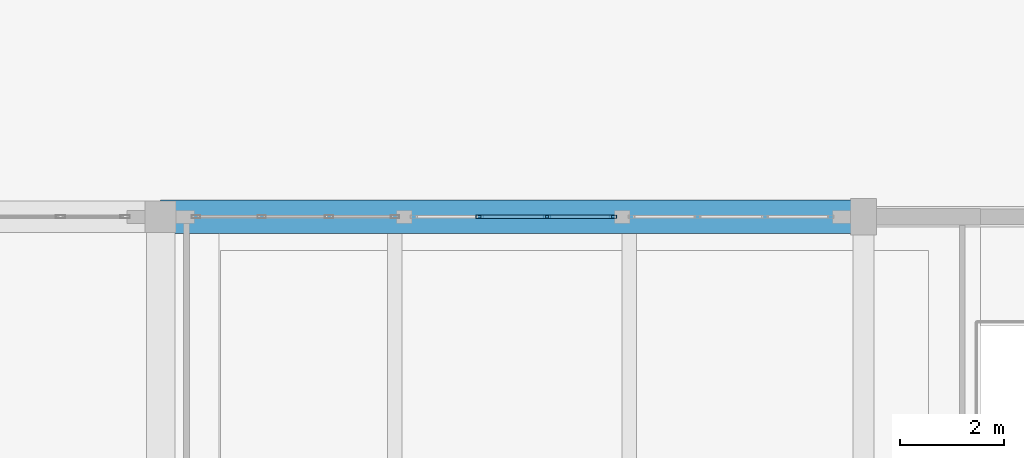
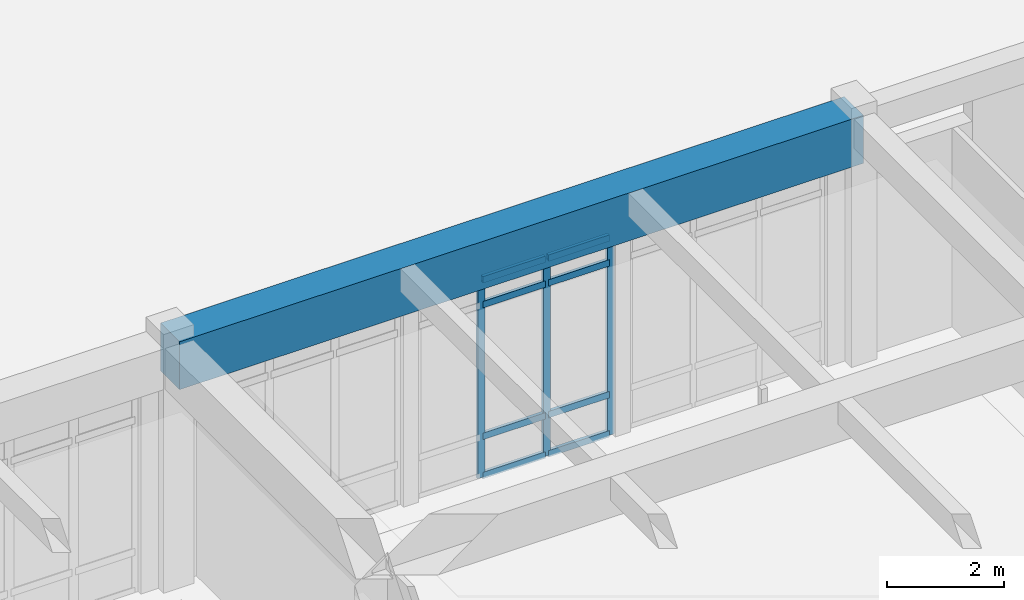
# One storey, part 26 of 138: 11 members, 1 beam, 1 element without a shape of its own.
"""IFC4 building model written with IfcOpenShell, lengths in metres."""

from ifc_helpers import new_model, si_unit, direction, frame, origin, origin_2d, place, context, subcontext, project, spatial, rectangle, hollow_rectangle, extrude, material, layer, layer_set, material_profile, profile_set, type_object, element, aggregate, save


model = new_model("IFC4")

# Units and contexts
model_context = context("Model", 3, precision=1e-05, world=origin(), true_north=direction((0.0, 1.0)))
body_context = subcontext(model_context, "Body", "Model", "MODEL_VIEW")
ifc_project = project(units=[si_unit("LENGTHUNIT", "METRE"), si_unit("AREAUNIT", "SQUARE_METRE"), si_unit("VOLUMEUNIT", "CUBIC_METRE"), si_unit("PLANEANGLEUNIT", "RADIAN"), si_unit("MASSUNIT", "GRAM", prefix="KILO")], contexts=[model_context])

# Site, building, storey
site_placement = place(None, origin())
site = spatial("IfcSite", under=ifc_project, at=site_placement, CompositionType="ELEMENT")
building_placement = place(site_placement, origin())
building = spatial("IfcBuilding", under=site, at=building_placement, Name="Fikremerkos Civic Library", CompositionType="ELEMENT")
storey_placement = place(building_placement, origin())
storey = spatial("IfcBuildingStorey", under=building, at=storey_placement, Name="L00", CompositionType="ELEMENT", Elevation=0.0)

# Curtain wall, members
ifc_material_1 = material(Name="Anodized aluminium Frame", Category="aluminium")
ifc_layer = layer(ifc_material_1, 0.159912109375, Name="Anodized aluminium Frame")
ifc_layer_set = layer_set([ifc_layer], Name="Anodized aluminium Frame")
curtain_wall_type = type_object("IfcCurtainWallType", Name="Unitised curtain wall CW-03 4100x3600", PredefinedType="USERDEFINED", material=ifc_layer_set)
curtain_wall_placement = place(storey_placement, origin())
curtain_wall = element("IfcCurtainWall", 1, at=curtain_wall_placement, inside=storey, type_object=curtain_wall_type, Name="Unitised curtain wall CW-03 L00 #21", ObjectType="UNITISED CURTAIN WALL", PredefinedType="USERDEFINED")
ifc_material_profile_1 = material_profile(ifc_material_1, hollow_rectangle(XDim=0.06005859375, YDim=0.139892578125, WallThickness=0.00390625, at=origin_2d()), Name="ALU 140x60x4")
ifc_profile_set_1 = profile_set([ifc_material_profile_1], Name="Anodized aluminium Frame")
member_type_1 = type_object("IfcMemberType", Name="Curtain mullion CWM-03 ALU 140x60x4", PredefinedType="MULLION", material=ifc_profile_set_1)
member_1_placement = place(storey_placement, frame((106.32763671875, 48.0, 0.0), z_axis=(0.0, 0.0, 1.0), x_axis=(0.0, 1.0, 0.0)))
member_1 = element("IfcMember", 2, at=member_1_placement, type_object=member_type_1, Name="CW-03 mullion 2", PredefinedType="MULLION", context=body_context, shape_type="SweptSolid", body=[
    extrude(hollow_rectangle(XDim=0.06005859375, YDim=0.139892578125, WallThickness=0.00390625, at=origin_2d()), origin(), (0.0, 0.0, 1.0), 4.14990234375),
])
member_2_placement = place(storey_placement, frame((107.62255859375, 48.0, 0.0), z_axis=(0.0, 0.0, 1.0), x_axis=(0.0, 1.0, 0.0)))
member_2 = element("IfcMember", 3, at=member_2_placement, type_object=member_type_1, Name="CW-03 mullion 3", PredefinedType="MULLION", context=body_context, shape_type="SweptSolid", body=[
    extrude(hollow_rectangle(XDim=0.06005859375, YDim=0.139892578125, WallThickness=0.00390625, at=origin_2d()), origin(), (0.0, 0.0, 1.0), 4.14990234375),
])
member_3_placement = place(storey_placement, frame((108.887451171875, 48.0, 0.0), z_axis=(0.0, 0.0, 1.0), x_axis=(0.0, 1.0, 0.0)))
member_3 = element("IfcMember", 4, at=member_3_placement, type_object=member_type_1, Name="CW-03 mullion 4", PredefinedType="MULLION", context=body_context, shape_type="SweptSolid", body=[
    extrude(hollow_rectangle(XDim=0.06005859375, YDim=0.139892578125, WallThickness=0.00390625, at=origin_2d()), origin(), (0.0, 0.0, 1.0), 4.14990234375),
])
ifc_material_profile_2 = material_profile(ifc_material_1, hollow_rectangle(XDim=0.06494140625, YDim=0.135009765625, WallThickness=0.00439453125, at=origin_2d()), Name="ALU 135x65x4.5")
ifc_profile_set_2 = profile_set([ifc_material_profile_2], Name="Anodized aluminium Frame")
member_type_2 = type_object("IfcMemberType", Name="Curtain transom CWT-02 ALU 135x65x4.5", PredefinedType="USERDEFINED", material=ifc_profile_set_2)
member_4_placement = place(storey_placement, frame((106.357666015625, 48.0, 0.032470703125), z_axis=(1.0, 0.0, 0.0), x_axis=(0.0, 1.0, 0.0)))
member_4 = element("IfcMember", 5, at=member_4_placement, type_object=member_type_2, Name="CW-03 transom 2.1", ObjectType="TRANSOM", PredefinedType="USERDEFINED", context=body_context, shape_type="SweptSolid", body=[
    extrude(hollow_rectangle(XDim=0.06494140625, YDim=0.135009765625, WallThickness=0.00439453125, at=origin_2d()), origin(), (0.0, 0.0, 1.0), 1.23486328125),
])
member_5_placement = place(storey_placement, frame((106.357666015625, 48.0, 0.85009765625), z_axis=(1.0, 0.0, 0.0), x_axis=(0.0, 1.0, 0.0)))
member_5 = element("IfcMember", 6, at=member_5_placement, type_object=member_type_2, Name="CW-03 transom 2.2", ObjectType="TRANSOM", PredefinedType="USERDEFINED", context=body_context, shape_type="SweptSolid", body=[
    extrude(hollow_rectangle(XDim=0.06494140625, YDim=0.135009765625, WallThickness=0.00439453125, at=origin_2d()), origin(), (0.0, 0.0, 1.0), 1.23486328125),
])
member_6_placement = place(storey_placement, frame((106.357666015625, 48.0, 3.60009765625), z_axis=(1.0, 0.0, 0.0), x_axis=(0.0, 1.0, 0.0)))
member_6 = element("IfcMember", 7, at=member_6_placement, type_object=member_type_2, Name="CW-03 transom 2.3", ObjectType="TRANSOM", PredefinedType="USERDEFINED", context=body_context, shape_type="SweptSolid", body=[
    extrude(hollow_rectangle(XDim=0.06494140625, YDim=0.135009765625, WallThickness=0.00439453125, at=origin_2d()), origin(), (0.0, 0.0, 1.0), 1.23486328125),
])
member_7_placement = place(storey_placement, frame((106.357666015625, 48.0, 4.117431640625), z_axis=(1.0, 0.0, 0.0), x_axis=(0.0, 1.0, 0.0)))
member_7 = element("IfcMember", 8, at=member_7_placement, type_object=member_type_2, Name="CW-03 transom 2.4", ObjectType="TRANSOM", PredefinedType="USERDEFINED", context=body_context, shape_type="SweptSolid", body=[
    extrude(hollow_rectangle(XDim=0.06494140625, YDim=0.135009765625, WallThickness=0.00439453125, at=origin_2d()), origin(), (0.0, 0.0, 1.0), 1.23486328125),
])
member_8_placement = place(storey_placement, frame((107.65234375, 48.0, 0.032470703125), z_axis=(1.0, 0.0, 0.0), x_axis=(0.0, 1.0, 0.0)))
member_8 = element("IfcMember", 9, at=member_8_placement, type_object=member_type_2, Name="CW-03 transom 3.1", ObjectType="TRANSOM", PredefinedType="USERDEFINED", context=body_context, shape_type="SweptSolid", body=[
    extrude(hollow_rectangle(XDim=0.06494140625, YDim=0.135009765625, WallThickness=0.00439453125, at=origin_2d()), origin(), (0.0, 0.0, 1.0), 1.205078125),
])
member_9_placement = place(storey_placement, frame((107.65234375, 48.0, 0.85009765625), z_axis=(1.0, 0.0, 0.0), x_axis=(0.0, 1.0, 0.0)))
member_9 = element("IfcMember", 10, at=member_9_placement, type_object=member_type_2, Name="CW-03 transom 3.2", ObjectType="TRANSOM", PredefinedType="USERDEFINED", context=body_context, shape_type="SweptSolid", body=[
    extrude(hollow_rectangle(XDim=0.06494140625, YDim=0.135009765625, WallThickness=0.00439453125, at=origin_2d()), origin(), (0.0, 0.0, 1.0), 1.205078125),
])
member_10_placement = place(storey_placement, frame((107.65234375, 48.0, 3.60009765625), z_axis=(1.0, 0.0, 0.0), x_axis=(0.0, 1.0, 0.0)))
member_10 = element("IfcMember", 11, at=member_10_placement, type_object=member_type_2, Name="CW-03 transom 3.3", ObjectType="TRANSOM", PredefinedType="USERDEFINED", context=body_context, shape_type="SweptSolid", body=[
    extrude(hollow_rectangle(XDim=0.06494140625, YDim=0.135009765625, WallThickness=0.00439453125, at=origin_2d()), origin(), (0.0, 0.0, 1.0), 1.205078125),
])
member_11_placement = place(storey_placement, frame((107.65234375, 48.0, 4.117431640625), z_axis=(1.0, 0.0, 0.0), x_axis=(0.0, 1.0, 0.0)))
member_11 = element("IfcMember", 12, at=member_11_placement, type_object=member_type_2, Name="CW-03 transom 3.4", ObjectType="TRANSOM", PredefinedType="USERDEFINED", context=body_context, shape_type="SweptSolid", body=[
    extrude(hollow_rectangle(XDim=0.06494140625, YDim=0.135009765625, WallThickness=0.00439453125, at=origin_2d()), origin(), (0.0, 0.0, 1.0), 1.205078125),
])
aggregate(curtain_wall, [member_1, member_2, member_3, member_4, member_5, member_6, member_7, member_8, member_9, member_10, member_11])

# Beam
ifc_material_2 = material(Name="Concrete C45/55", Category="concrete")
ifc_material_profile_3 = material_profile(ifc_material_2, rectangle(XDim=0.64990234375, YDim=1.0, at=origin_2d()), Name="RC 650x1000")
ifc_profile_set_3 = profile_set([ifc_material_profile_3], Name="Concrete C45/55")
beam_type = type_object("IfcBeamType", Name="Primary girder BM-25 RC 650x1000", PredefinedType="BEAM", material=ifc_profile_set_3)
beam_placement = place(storey_placement, frame((100.199951171875, 48.0, 4.659912109375), z_axis=(1.0, 0.0, 0.0), x_axis=(0.0, 1.0, 0.0)))
element("IfcBeam", 13, at=beam_placement, inside=storey, type_object=beam_type, Name="Primary girder BM-25 L00 grid J", PredefinedType="BEAM", context=body_context, shape_type="SweptSolid", body=[
    extrude(rectangle(XDim=0.64990234375, YDim=1.0, at=origin_2d()), origin(), (0.0, 0.0, 1.0), 13.5),
])

save(model, "model.ifc")
